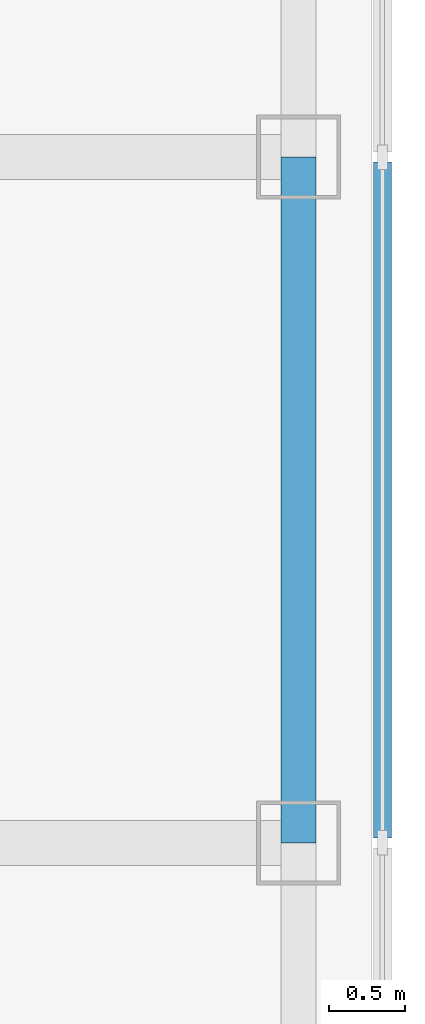
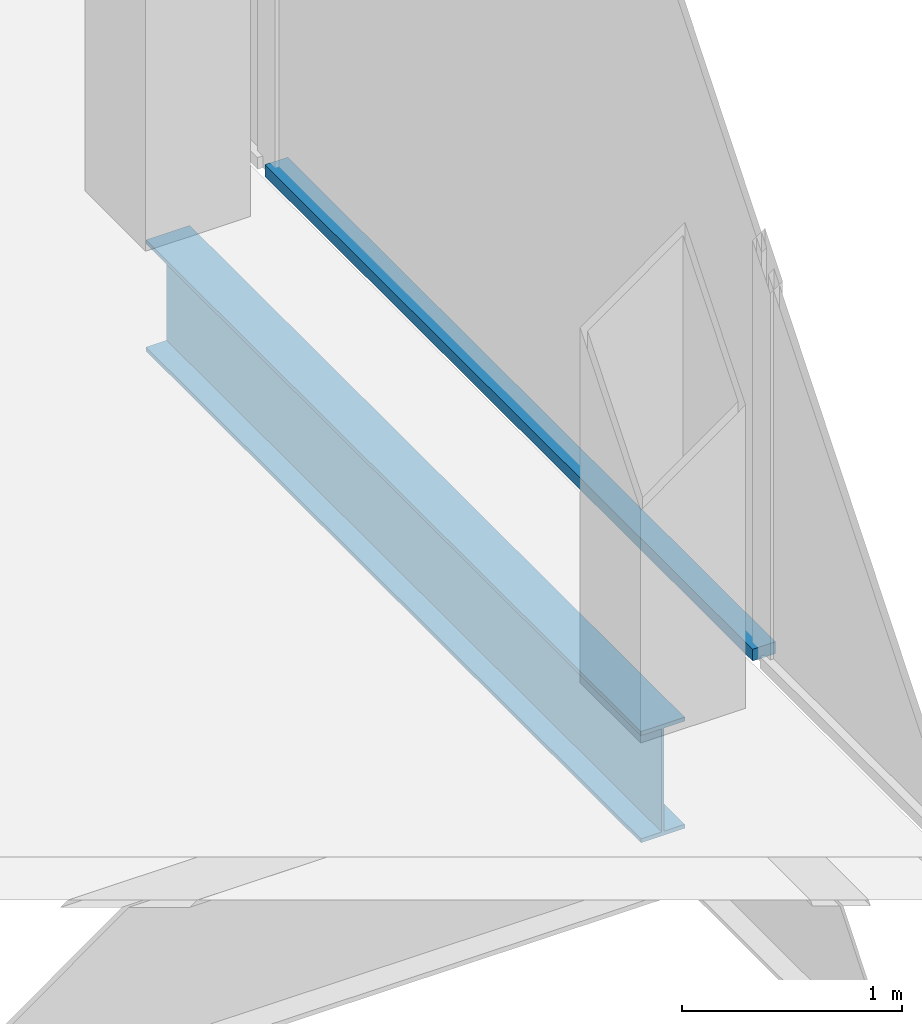
# One storey, part 5 of 13: 1 beam, 1 member, 1 element without a shape of its own.
"""IFC4 building model written with IfcOpenShell, lengths in metres."""

from ifc_helpers import new_model, si_unit, direction, frame, origin, origin_2d, place, context, subcontext, project, spatial, rectangle, i_section, extrude, material, material_profile, profile_set, type_object, element, aggregate, save


model = new_model("IFC4")

# Units and contexts
model_context = context("Model", 3, precision=1e-05, world=origin(), true_north=direction((0.0, 1.0)))
body_context = subcontext(model_context, "Body", "Model", "MODEL_VIEW")
ifc_project = project(units=[si_unit("LENGTHUNIT", "METRE"), si_unit("AREAUNIT", "SQUARE_METRE"), si_unit("VOLUMEUNIT", "CUBIC_METRE"), si_unit("PLANEANGLEUNIT", "RADIAN"), si_unit("MASSUNIT", "GRAM", prefix="KILO")], contexts=[model_context])

# Site, building, storey
site_placement = place(None, origin())
site = spatial("IfcSite", under=ifc_project, at=site_placement, CompositionType="ELEMENT")
building_placement = place(site_placement, origin())
building = spatial("IfcBuilding", under=site, at=building_placement, Name="Corais Broadcast Tower", CompositionType="ELEMENT")
storey_placement = place(building_placement, frame((0.0, 0.0, 306.60009765625)))
storey = spatial("IfcBuildingStorey", under=building, at=storey_placement, Name="L72", CompositionType="ELEMENT", Elevation=306.60009765625)

# Beam
ifc_material_1 = material(Name="Steel ASTM A572 Grade 50", Category="steel")
ifc_material_profile_1 = material_profile(ifc_material_1, i_section(OverallWidth=0.22998046875, OverallDepth=0.616943359375, WebThickness=0.01318359375, FlangeThickness=0.022216796875, at=origin_2d()), Name="W610x140")
ifc_profile_set_1 = profile_set([ifc_material_profile_1], Name="Steel ASTM A572 Grade 50")
beam_type = type_object("IfcBeamType", Name="Spandrel W610x140", PredefinedType="BEAM", material=ifc_profile_set_1)
beam_placement = place(storey_placement, frame((54.0, 27.0, -0.468505859375), z_axis=(0.0, 1.0, 0.0), x_axis=(-1.0, 0.0, 0.0)))
element("IfcBeam", 1, at=beam_placement, inside=storey, type_object=beam_type, Name="SB3 G/15 to H/15", PredefinedType="BEAM", context=body_context, shape_type="SweptSolid", body=[
    extrude(i_section(OverallWidth=0.22998046875, OverallDepth=0.616943359375, WebThickness=0.01318359375, FlangeThickness=0.022216796875, at=origin_2d()), origin(), (0.0, 0.0, 1.0), 4.5),
])

# Curtain wall, member
ifc_material_2 = material(Name="Aluminium and glass", Category="aluminium")
curtain_wall_type = type_object("IfcCurtainWallType", Name="Unitised fritted curtain wall CW3", PredefinedType="NOTDEFINED", material=ifc_material_2)
curtain_wall_placement = place(storey_placement, origin())
curtain_wall = element("IfcCurtainWall", 2, at=curtain_wall_placement, inside=storey, type_object=curtain_wall_type, Name="CW3 curtain wall L72 6", PredefinedType="NOTDEFINED")
ifc_material_3 = material(Name="Aluminium 6063-T6", Category="aluminium")
ifc_material_profile_2 = material_profile(ifc_material_3, rectangle(XDim=0.1201171875, YDim=0.06494140625, at=origin_2d()), Name="Transom CW3 65x120")
ifc_profile_set_2 = profile_set([ifc_material_profile_2], Name="Aluminium 6063-T6")
member_type = type_object("IfcMemberType", Name="Transom CW3 65x120", PredefinedType="USERDEFINED", material=ifc_profile_set_2)
member_placement = place(storey_placement, frame((54.550048828125, 31.467529296875, 0.032470703125), z_axis=(0.0, -1.0, 0.0), x_axis=(1.0, 0.0, 0.0)))
member = element("IfcMember", 3, at=member_placement, type_object=member_type, Name="CW3 transom 3.1", ObjectType="TRANSOM", PredefinedType="USERDEFINED", context=body_context, shape_type="SweptSolid", body=[
    extrude(rectangle(XDim=0.1201171875, YDim=0.06494140625, at=origin_2d()), origin(), (0.0, 0.0, 1.0), 4.43505859375),
])
aggregate(curtain_wall, [member])

save(model, "model.ifc")
